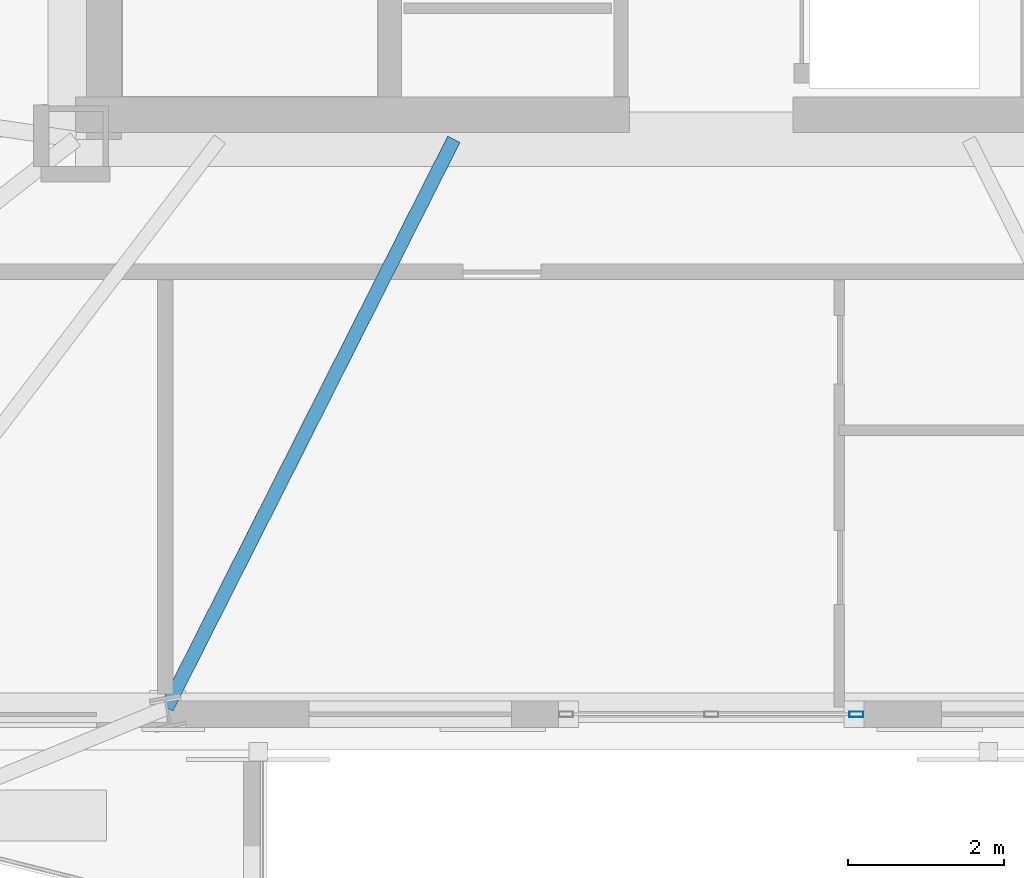
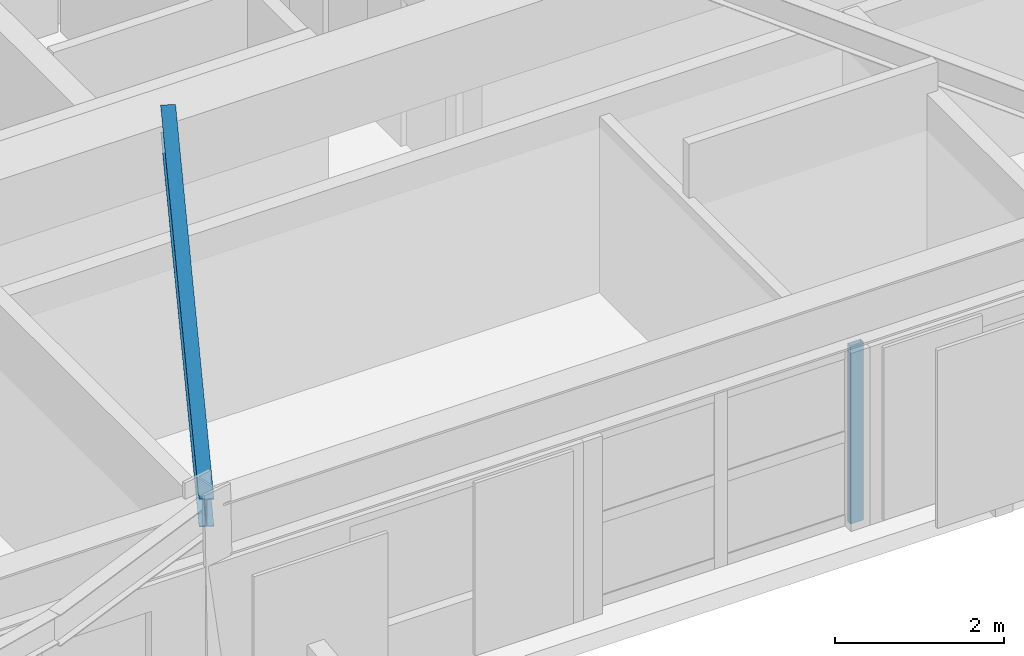
# One storey, part 3 of 16: 1 beam, 1 member, 1 element without a shape of its own.
"""IFC4 building model written with IfcOpenShell, lengths in metres."""

import ifcopenshell
import ifcopenshell.guid

model = None  # the IFC model being written
_history = None  # IfcOwnerHistory: only IFC2X3 demands one
_inside = {}  # id of a spatial element -> (the spatial element, [elements in it])
_under = {}  # id of a project, library or spatial element -> (it, [spatial elements below it])
_declared = {}  # id of a project -> (the project, [libraries it declares])
_typed = {}  # id of a type object -> (the type object, [elements of that type])
_made_of = {}  # id of a material, layer set ... -> (it, [elements and type objects made of it])


def new_model(schema):
    """Start an empty IFC model of exactly this schema.

    Asked for "IFC4X3", IfcOpenShell would pick the latest addendum, in which some entities
    have other attributes; the version numbers below select the first issue.
    IFC2X3 requires an IfcOwnerHistory on every rooted entity: one is made here for all.
    """
    global model, _history
    if schema == "IFC4X3":
        model = ifcopenshell.file(schema_version=(4, 3, 0, 0))
    else:
        model = ifcopenshell.file(schema=schema)
    _inside.clear()
    _under.clear()
    _declared.clear()
    _typed.clear()
    _made_of.clear()
    _history = None
    if model.schema == "IFC2X3":
        org = make("IfcOrganization", Name="unknown")
        user = make(
            "IfcPersonAndOrganization",
            ThePerson=make("IfcPerson", FamilyName="unknown"),
            TheOrganization=org,
        )
        app = make(
            "IfcApplication",
            ApplicationDeveloper=org,
            Version="unknown",
            ApplicationFullName="unknown",
            ApplicationIdentifier="unknown",
        )
        _history = make(
            "IfcOwnerHistory",
            OwningUser=user,
            OwningApplication=app,
            ChangeAction="ADDED",
            CreationDate=0,
        )
    return model


def make(cls, **values):
    """One entity of the class cls with the attributes given. An attribute that is None is left unset."""
    return model.create_entity(
        cls, **{name: value for name, value in values.items() if value is not None}
    )


def rooted(cls, **values):
    """An entity with a GlobalId (a new one), such as an element, a storey or a relation."""
    return make(cls, GlobalId=ifcopenshell.guid.new(), OwnerHistory=_history, **values)


def si_unit(unit_type, name, prefix=None):
    """IfcSIUnit, for example si_unit("LENGTHUNIT", "METRE", prefix="MILLI")."""
    return make("IfcSIUnit", UnitType=unit_type, Prefix=prefix, Name=name)


def assignment(units):
    """IfcUnitAssignment: the units of a project."""
    return None if units is None else make("IfcUnitAssignment", Units=units)


def point(xyz):
    """IfcCartesianPoint."""
    return None if xyz is None else make("IfcCartesianPoint", Coordinates=xyz)


def direction(xyz):
    """IfcDirection."""
    return None if xyz is None else make("IfcDirection", DirectionRatios=xyz)


def frame(location, z_axis=None, x_axis=None):
    """IfcAxis2Placement3D, a coordinate frame: its origin and axes. An axis left out is left unset."""
    return make(
        "IfcAxis2Placement3D",
        Location=point(location),
        Axis=direction(z_axis),
        RefDirection=direction(x_axis),
    )


def frame_2d(location, x_axis=None):
    """IfcAxis2Placement2D, a coordinate frame in the plane: its origin and x axis."""
    return make(
        "IfcAxis2Placement2D", Location=point(location), RefDirection=direction(x_axis)
    )


def origin():
    """The frame at (0, 0, 0) with its axes left unset."""
    return frame((0.0, 0.0, 0.0))


def origin_2d():
    """The frame at (0, 0) in the plane with its x axis left unset."""
    return frame_2d((0.0, 0.0))


def place(relative_to, where):
    """IfcLocalPlacement: puts the frame where relative to a parent placement (None: the world)."""
    return make(
        "IfcLocalPlacement", PlacementRelTo=relative_to, RelativePlacement=where
    )


def context(
    kind, dimensions, precision=None, world=None, true_north=None, identifier=None
):
    """IfcGeometricRepresentationContext, for example the 3D "Model" context."""
    return make(
        "IfcGeometricRepresentationContext",
        ContextIdentifier=identifier,
        ContextType=kind,
        CoordinateSpaceDimension=dimensions,
        Precision=precision,
        WorldCoordinateSystem=world,
        TrueNorth=true_north,
    )


def subcontext(parent, identifier, kind, view, scale=None):
    """IfcGeometricRepresentationSubContext, for example "Body" below "Model"."""
    return make(
        "IfcGeometricRepresentationSubContext",
        ContextIdentifier=identifier,
        ContextType=kind,
        ParentContext=parent,
        TargetScale=scale,
        TargetView=view,
    )


def project(units=None, contexts=None):
    """IfcProject with its units and contexts."""
    return rooted(
        "IfcProject",
        Name="project",
        RepresentationContexts=contexts,
        UnitsInContext=assignment(units),
    )


def spatial(cls, under=None, at=None, **own):
    """A site, building, storey or space (cls), placed at a placement, below another one or the project."""
    s = rooted(cls, ObjectPlacement=at, **own)
    if under is not None:
        _under.setdefault(under.id(), (under, []))[1].append(s)
    return s


def profile(cls, at=None, kind="AREA", **sizes):
    """A parametric profile (cls). Its sizes go by their IFC names, for example OverallWidth=200.0."""
    return make(cls, ProfileType=kind, Position=at, **sizes)


def hollow_rectangle(**sizes):
    """IfcRectangleHollowProfileDef."""
    return profile("IfcRectangleHollowProfileDef", **sizes)


def i_section(**sizes):
    """IfcIShapeProfileDef."""
    return profile("IfcIShapeProfileDef", **sizes)


def extrude(swept, where, along, depth):
    """IfcExtrudedAreaSolid: the profile swept, set in the frame where, extruded along a direction by depth."""
    return make(
        "IfcExtrudedAreaSolid",
        SweptArea=swept,
        Position=where,
        ExtrudedDirection=direction(along),
        Depth=depth,
    )


def shape(context_of_items, identifier, shape_type, items):
    """IfcShapeRepresentation: the items that make up one representation, for example the "Body"."""
    return make(
        "IfcShapeRepresentation",
        ContextOfItems=context_of_items,
        RepresentationIdentifier=identifier,
        RepresentationType=shape_type,
        Items=items,
    )


def material(Name=None, Category=None):
    """IfcMaterial."""
    return make("IfcMaterial", Name=Name, Category=Category)


def layer(
    of_material, thickness, ventilated=None, Name=None, Category=None, Priority=None
):
    """IfcMaterialLayer: one layer of a wall or slab, of a material (None: an air gap)."""
    return make(
        "IfcMaterialLayer",
        Material=of_material,
        LayerThickness=thickness,
        IsVentilated=ventilated,
        Name=Name,
        Category=Category,
        Priority=Priority,
    )


def layer_set(layers, Name=None):
    """IfcMaterialLayerSet."""
    return make("IfcMaterialLayerSet", MaterialLayers=layers, LayerSetName=Name)


def material_profile(
    of_material, cross_section, Name=None, Category=None, Priority=None
):
    """IfcMaterialProfile: a cross section and its material."""
    return make(
        "IfcMaterialProfile",
        Name=Name,
        Material=of_material,
        Profile=cross_section,
        Priority=Priority,
        Category=Category,
    )


def profile_set(profiles, Name=None, composite=None):
    """IfcMaterialProfileSet."""
    return make(
        "IfcMaterialProfileSet",
        Name=Name,
        MaterialProfiles=profiles,
        CompositeProfile=composite,
    )


def made_of(thing, what):
    """Note that an element or type object is made of a material, layer set ...; save() writes the relation."""
    if what is not None:
        _made_of.setdefault(what.id(), (what, []))[1].append(thing)
    return thing


def type_object(cls, material=None, **own):
    """A type object (cls), such as IfcWallType, which elements share."""
    return made_of(rooted(cls, **own), material)


def element(
    cls,
    number,
    at=None,
    inside=None,
    cuts=None,
    type_object=None,
    material=None,
    context=None,
    identifier="Body",
    shape_type=None,
    held_by="IfcProductDefinitionShape",
    body=None,
    shapes=None,
    **own,
):
    """One element of the class cls, such as IfcWall. Its Tag is "e" and its number.

    at: its placement. inside: the storey or other place that contains it. cuts: it is an
    opening in that element (IfcRelVoidsElement). A single representation is given by context,
    identifier, shape_type and body (its items); several are given by shapes. held_by: the class
    of the entity that holds the representations. save() writes the other relations.
    """
    e = rooted(cls, Tag="e%d" % number, ObjectPlacement=at, **own)
    if body is not None:
        shapes = [shape(context, identifier, shape_type, body)]
    if shapes is not None:
        e.Representation = make(held_by, Representations=shapes)
    if inside is not None:
        _inside.setdefault(inside.id(), (inside, []))[1].append(e)
    if cuts is not None:
        rooted(
            "IfcRelVoidsElement", RelatingBuildingElement=cuts, RelatedOpeningElement=e
        )
    if type_object is not None:
        _typed.setdefault(type_object.id(), (type_object, []))[1].append(e)
    return made_of(e, material)


def aggregate(whole, parts):
    """IfcRelAggregates: a whole, such as a stair, and the parts it consists of."""
    return rooted("IfcRelAggregates", RelatingObject=whole, RelatedObjects=parts)


def save(model, path):
    """Write the relations noted so far, then the file.

    IfcRelAggregates (storeys below a building ...), IfcRelContainedInSpatialStructure (elements
    in a storey), IfcRelDefinesByType, IfcRelAssociatesMaterial and IfcRelDeclares: one each for
    every whole, place, type object, material and project.
    """
    for whole, parts in _under.values():
        aggregate(whole, parts)
    for where, things in _inside.values():
        rooted(
            "IfcRelContainedInSpatialStructure",
            RelatedElements=things,
            RelatingStructure=where,
        )
    for kind, things in _typed.values():
        rooted("IfcRelDefinesByType", RelatedObjects=things, RelatingType=kind)
    for what, things in _made_of.values():
        rooted("IfcRelAssociatesMaterial", RelatedObjects=things, RelatingMaterial=what)
    for by, libraries in _declared.values():
        rooted("IfcRelDeclares", RelatingContext=by, RelatedDefinitions=libraries)
    model.write(path)


model = new_model("IFC4")

# Units and contexts
model_context = context("Model", 3, precision=1e-05, world=origin(), true_north=direction((0.0, 1.0)))
body_context = subcontext(model_context, "Body", "Model", "MODEL_VIEW")
ifc_project = project(units=[si_unit("LENGTHUNIT", "METRE"), si_unit("AREAUNIT", "SQUARE_METRE"), si_unit("VOLUMEUNIT", "CUBIC_METRE"), si_unit("PLANEANGLEUNIT", "RADIAN"), si_unit("MASSUNIT", "GRAM", prefix="KILO")], contexts=[model_context])

# Site, building, storey
site_placement = place(None, origin())
site = spatial("IfcSite", under=ifc_project, at=site_placement, CompositionType="ELEMENT")
building_placement = place(site_placement, origin())
building = spatial("IfcBuilding", under=site, at=building_placement, Name="Oramaril Tower", CompositionType="ELEMENT")
storey_placement = place(building_placement, frame((0.0, 0.0, 115.800048828125)))
storey = spatial("IfcBuildingStorey", under=building, at=storey_placement, Name="L30", CompositionType="ELEMENT", Elevation=115.800048828125)

# Beam
ifc_material_1 = material(Name="Steel ASTM A572 Gr 50", Category="steel")
ifc_material_profile_1 = material_profile(ifc_material_1, i_section(OverallWidth=0.177978515625, OverallDepth=0.404052734375, WebThickness=0.007568359375, FlangeThickness=0.010986328125, at=origin_2d()), Name="W16X36")
ifc_profile_set_1 = profile_set([ifc_material_profile_1], Name="Steel ASTM A572 Gr 50")
beam_type = type_object("IfcBeamType", Name="BT-SB1", PredefinedType="BEAM", material=ifc_profile_set_1)
beam_placement = place(storey_placement, frame((34.199951171875, 11.0, 3.157958984375), z_axis=(-0.450798681058, -0.892625648946, 0.0), x_axis=(0.892625648946, -0.450798681058, 0.0)))
element("IfcBeam", 1, at=beam_placement, inside=storey, type_object=beam_type, Name="L30 Secondary Floor Beam SB-02", PredefinedType="BEAM", context=body_context, shape_type="SweptSolid", body=[
    extrude(i_section(OverallWidth=0.177978515625, OverallDepth=0.404052734375, WebThickness=0.007568359375, FlangeThickness=0.010986328125, at=origin_2d()), origin(), (0.0, 0.0, 1.0), 8.16357421875),
])

# Curtain wall, member
ifc_material_2 = material(Name="Anodised Aluminium 6063-T6", Category="aluminium")
ifc_layer = layer(ifc_material_2, 0.179931640625)
ifc_layer_set = layer_set([ifc_layer], Name="CWT-SYS3")
curtain_wall_type = type_object("IfcCurtainWallType", Name="CWT-SYS3", PredefinedType="NOTDEFINED", material=ifc_layer_set)
curtain_wall_placement = place(storey_placement, origin())
curtain_wall = element("IfcCurtainWall", 2, at=curtain_wall_placement, inside=storey, type_object=curtain_wall_type, Name="L30 Unitised Curtain Wall CW-3", PredefinedType="NOTDEFINED")
ifc_material_3 = material(Name="Anodised Aluminium 6063-T6", Category="aluminium")
ifc_material_profile_2 = material_profile(ifc_material_3, hollow_rectangle(XDim=0.070068359375, YDim=0.179931640625, WallThickness=0.00390625, at=origin_2d()), Name="CWM180X70")
ifc_profile_set_2 = profile_set([ifc_material_profile_2], Name="Anodised Aluminium 6063-T6")
member_type = type_object("IfcMemberType", Name="MT-CWM2", PredefinedType="MULLION", material=ifc_profile_set_2)
member_placement = place(storey_placement, frame((39.360107421875, 3.62939453125, 0.0), z_axis=(0.0, 0.0, 1.0), x_axis=(0.0, 1.0, 0.0)))
member = element("IfcMember", 3, at=member_placement, type_object=member_type, Name="CW-3 mullion 3", PredefinedType="MULLION", context=body_context, shape_type="SweptSolid", body=[
    extrude(hollow_rectangle(XDim=0.070068359375, YDim=0.179931640625, WallThickness=0.00390625, at=origin_2d()), origin(), (0.0, 0.0, 1.0), 2.577880859375),
])
aggregate(curtain_wall, [member])

save(model, "model.ifc")
